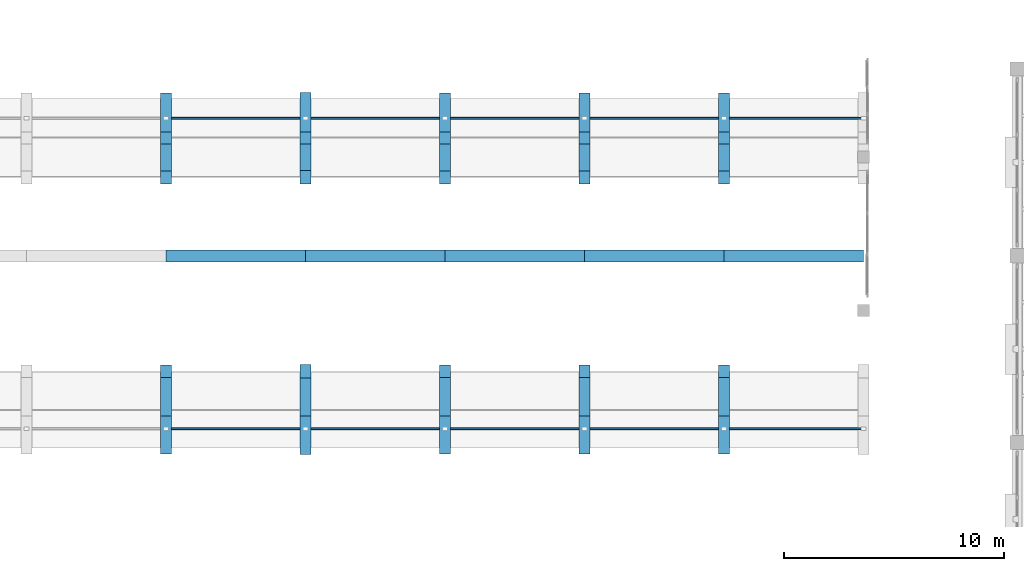
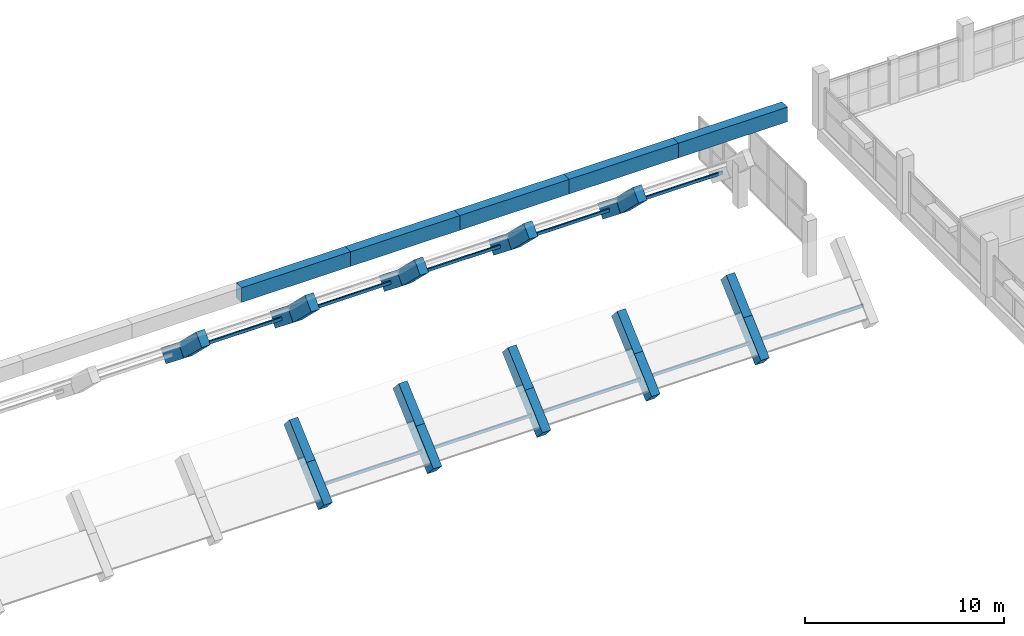
# One storey, part 7 of 48: 30 members, 5 beams.
"""IFC4 building model written with IfcOpenShell, lengths in metres."""

from ifc_helpers import new_model, si_unit, direction, frame, origin, origin_2d, place, context, subcontext, project, spatial, rectangle, hollow_rectangle, extrude, material, material_profile, profile_set, type_object, element, save


model = new_model("IFC4")

# Units and contexts
model_context = context("Model", 3, precision=1e-05, world=origin(), true_north=direction((0.0, 1.0)))
body_context = subcontext(model_context, "Body", "Model", "MODEL_VIEW")
ifc_project = project(units=[si_unit("LENGTHUNIT", "METRE"), si_unit("AREAUNIT", "SQUARE_METRE"), si_unit("VOLUMEUNIT", "CUBIC_METRE"), si_unit("PLANEANGLEUNIT", "RADIAN"), si_unit("MASSUNIT", "GRAM", prefix="KILO")], contexts=[model_context])

# Site, building, storey
site_placement = place(None, origin())
site = spatial("IfcSite", under=ifc_project, at=site_placement, CompositionType="ELEMENT")
building_placement = place(site_placement, origin())
building = spatial("IfcBuilding", under=site, at=building_placement, Name="Trellovar Central Fire Station", CompositionType="ELEMENT")
storey_placement = place(building_placement, frame((0.0, 0.0, 9.300048828125)))
storey = spatial("IfcBuildingStorey", under=building, at=storey_placement, Name="L03", CompositionType="ELEMENT", Elevation=9.300048828125)

# Beams
ifc_material_1 = material(Name="Concrete C40/50", Category="concrete")
ifc_material_profile_1 = material_profile(ifc_material_1, rectangle(XDim=0.550048828125, YDim=0.89990234375, at=origin_2d()), Name="RC550X900")
ifc_profile_set_1 = profile_set([ifc_material_profile_1], Name="Concrete C40/50")
beam_type = type_object("IfcBeamType", Name="BM-RG3", PredefinedType="BEAM", material=ifc_profile_set_1)
beam_1_placement = place(storey_placement, frame((66.75, 24.47998046875, 8.449951171875), z_axis=(1.0, 0.0, 0.0), x_axis=(0.0, 1.0, 0.0)))
element("IfcBeam", 1, at=beam_1_placement, inside=storey, type_object=beam_type, Name="V1 vault crest ridge beam", PredefinedType="BEAM", context=body_context, shape_type="SweptSolid", body=[
    extrude(rectangle(XDim=0.550048828125, YDim=0.89990234375, at=origin_2d()), origin(), (0.0, 0.0, 1.0), 6.35009765625),
])
beam_2_placement = place(storey_placement, frame((73.10009765625, 24.47998046875, 8.449951171875), z_axis=(1.0, 0.0, 0.0), x_axis=(0.0, 1.0, 0.0)))
element("IfcBeam", 2, at=beam_2_placement, inside=storey, type_object=beam_type, Name="V1 vault crest ridge beam", PredefinedType="BEAM", context=body_context, shape_type="SweptSolid", body=[
    extrude(rectangle(XDim=0.550048828125, YDim=0.89990234375, at=origin_2d()), origin(), (0.0, 0.0, 1.0), 6.349853515625),
])
beam_3_placement = place(storey_placement, frame((79.449951171875, 24.47998046875, 8.449951171875), z_axis=(1.0, 0.0, 0.0), x_axis=(0.0, 1.0, 0.0)))
element("IfcBeam", 3, at=beam_3_placement, inside=storey, type_object=beam_type, Name="V1 vault crest ridge beam", PredefinedType="BEAM", context=body_context, shape_type="SweptSolid", body=[
    extrude(rectangle(XDim=0.550048828125, YDim=0.89990234375, at=origin_2d()), origin(), (0.0, 0.0, 1.0), 6.35009765625),
])
beam_4_placement = place(storey_placement, frame((85.800048828125, 24.47998046875, 8.449951171875), z_axis=(1.0, 0.0, 0.0), x_axis=(0.0, 1.0, 0.0)))
element("IfcBeam", 4, at=beam_4_placement, inside=storey, type_object=beam_type, Name="V1 vault crest ridge beam", PredefinedType="BEAM", context=body_context, shape_type="SweptSolid", body=[
    extrude(rectangle(XDim=0.550048828125, YDim=0.89990234375, at=origin_2d()), origin(), (0.0, 0.0, 1.0), 6.349853515625),
])
beam_5_placement = place(storey_placement, frame((92.14990234375, 24.47998046875, 8.449951171875), z_axis=(1.0, 0.0, 0.0), x_axis=(0.0, 1.0, 0.0)))
element("IfcBeam", 5, at=beam_5_placement, inside=storey, type_object=beam_type, Name="V1 vault crest ridge beam", PredefinedType="BEAM", context=body_context, shape_type="SweptSolid", body=[
    extrude(rectangle(XDim=0.550048828125, YDim=0.89990234375, at=origin_2d()), origin(), (0.0, 0.0, 1.0), 6.35009765625),
])

# Members
ifc_material_2 = material(Name="Concrete C40/50", Category="concrete")
ifc_material_profile_2 = material_profile(ifc_material_2, rectangle(XDim=0.5, YDim=0.89990234375, at=origin_2d()), Name="RC500X900")
ifc_profile_set_2 = profile_set([ifc_material_profile_2], Name="Concrete C40/50")
member_type_1 = type_object("IfcMemberType", Name="MEM-AR1", PredefinedType="CHORD", material=ifc_profile_set_2)
member_1_placement = place(storey_placement, frame((73.10009765625, 15.74658203125, 0.61669921875), z_axis=(0.0, 0.744457083913, 0.667670315509), x_axis=(-1.0, 0.0, 0.0)))
element("IfcMember", 6, at=member_1_placement, inside=storey, type_object=member_type_1, Name="Parabolic arch rib AR-07 chord 02", PredefinedType="CHORD", context=body_context, shape_type="SweptSolid", body=[
    extrude(rectangle(XDim=0.5, YDim=0.89990234375, at=origin_2d()), origin(), (0.0, 0.0, 1.0), 2.346435546875),
])
member_2_placement = place(storey_placement, frame((73.10009765625, 17.493408203125, 2.183349609375), z_axis=(0.0, 0.744410696022, 0.667722034718), x_axis=(-1.0, 0.0, 0.0)))
element("IfcMember", 7, at=member_2_placement, inside=storey, type_object=member_type_1, Name="Parabolic arch rib AR-07 chord 03", PredefinedType="CHORD", context=body_context, shape_type="SweptSolid", body=[
    extrude(rectangle(XDim=0.5, YDim=0.89990234375, at=origin_2d()), origin(), (0.0, 0.0, 1.0), 2.34619140625),
])
member_3_placement = place(storey_placement, frame((73.10009765625, 28.066650390625, 3.457275390625), z_axis=(0.0, 0.717773123424, -0.696277059287), x_axis=(-1.0, 0.0, 0.0)))
element("IfcMember", 8, at=member_3_placement, inside=storey, type_object=member_type_1, Name="Parabolic arch rib AR-07 chord 09", PredefinedType="CHORD", context=body_context, shape_type="SweptSolid", body=[
    extrude(rectangle(XDim=0.5, YDim=0.89990234375, at=origin_2d()), origin(), (0.0, 0.0, 1.0), 2.49853515625),
])
member_4_placement = place(storey_placement, frame((73.10009765625, 29.860107421875, 1.717529296875), z_axis=(0.0, 0.782321473021, -0.622874877363), x_axis=(-1.0, 0.0, 0.0)))
element("IfcMember", 9, at=member_4_placement, inside=storey, type_object=member_type_1, Name="Parabolic arch rib AR-07 chord 10", PredefinedType="CHORD", context=body_context, shape_type="SweptSolid", body=[
    extrude(rectangle(XDim=0.5, YDim=0.89990234375, at=origin_2d()), origin(), (0.0, 0.0, 1.0), 2.292236328125),
])
ifc_material_3 = material(Name="Concrete C40/50", Category="concrete")
ifc_material_profile_3 = material_profile(ifc_material_3, rectangle(XDim=0.5, YDim=0.85009765625, at=origin_2d()), Name="RC500X850")
ifc_profile_set_3 = profile_set([ifc_material_profile_3], Name="Concrete C40/50")
member_type_2 = type_object("IfcMemberType", Name="MEM-AR2", PredefinedType="CHORD", material=ifc_profile_set_3)
member_5_placement = place(storey_placement, frame((66.75, 15.74658203125, 0.61669921875), z_axis=(0.0, 0.744457083913, 0.667670315509), x_axis=(-1.0, 0.0, 0.0)))
element("IfcMember", 10, at=member_5_placement, inside=storey, type_object=member_type_2, Name="Parabolic arch rib AR-06 chord 02", PredefinedType="CHORD", context=body_context, shape_type="SweptSolid", body=[
    extrude(rectangle(XDim=0.5, YDim=0.85009765625, at=origin_2d()), origin(), (0.0, 0.0, 1.0), 2.346435546875),
])
member_6_placement = place(storey_placement, frame((66.75, 17.493408203125, 2.183349609375), z_axis=(0.0, 0.744410696022, 0.667722034718), x_axis=(-1.0, 0.0, 0.0)))
element("IfcMember", 11, at=member_6_placement, inside=storey, type_object=member_type_2, Name="Parabolic arch rib AR-06 chord 03", PredefinedType="CHORD", context=body_context, shape_type="SweptSolid", body=[
    extrude(rectangle(XDim=0.5, YDim=0.85009765625, at=origin_2d()), origin(), (0.0, 0.0, 1.0), 2.34619140625),
])
member_7_placement = place(storey_placement, frame((66.75, 28.066650390625, 3.457275390625), z_axis=(0.0, 0.717773123424, -0.696277059287), x_axis=(-1.0, 0.0, 0.0)))
element("IfcMember", 12, at=member_7_placement, inside=storey, type_object=member_type_2, Name="Parabolic arch rib AR-06 chord 09", PredefinedType="CHORD", context=body_context, shape_type="SweptSolid", body=[
    extrude(rectangle(XDim=0.5, YDim=0.85009765625, at=origin_2d()), origin(), (0.0, 0.0, 1.0), 2.49853515625),
])
member_8_placement = place(storey_placement, frame((66.75, 29.860107421875, 1.717529296875), z_axis=(0.0, 0.782321473021, -0.622874877363), x_axis=(-1.0, 0.0, 0.0)))
element("IfcMember", 13, at=member_8_placement, inside=storey, type_object=member_type_2, Name="Parabolic arch rib AR-06 chord 10", PredefinedType="CHORD", context=body_context, shape_type="SweptSolid", body=[
    extrude(rectangle(XDim=0.5, YDim=0.85009765625, at=origin_2d()), origin(), (0.0, 0.0, 1.0), 2.292236328125),
])
member_9_placement = place(storey_placement, frame((79.449951171875, 15.74658203125, 0.61669921875), z_axis=(0.0, 0.744457083913, 0.667670315509), x_axis=(-1.0, 0.0, 0.0)))
element("IfcMember", 14, at=member_9_placement, inside=storey, type_object=member_type_2, Name="Parabolic arch rib AR-08 chord 02", PredefinedType="CHORD", context=body_context, shape_type="SweptSolid", body=[
    extrude(rectangle(XDim=0.5, YDim=0.85009765625, at=origin_2d()), origin(), (0.0, 0.0, 1.0), 2.346435546875),
])
member_10_placement = place(storey_placement, frame((79.449951171875, 17.493408203125, 2.183349609375), z_axis=(0.0, 0.744410696022, 0.667722034718), x_axis=(-1.0, 0.0, 0.0)))
element("IfcMember", 15, at=member_10_placement, inside=storey, type_object=member_type_2, Name="Parabolic arch rib AR-08 chord 03", PredefinedType="CHORD", context=body_context, shape_type="SweptSolid", body=[
    extrude(rectangle(XDim=0.5, YDim=0.85009765625, at=origin_2d()), origin(), (0.0, 0.0, 1.0), 2.34619140625),
])
member_11_placement = place(storey_placement, frame((79.449951171875, 28.066650390625, 3.457275390625), z_axis=(0.0, 0.717773123424, -0.696277059287), x_axis=(-1.0, 0.0, 0.0)))
element("IfcMember", 16, at=member_11_placement, inside=storey, type_object=member_type_2, Name="Parabolic arch rib AR-08 chord 09", PredefinedType="CHORD", context=body_context, shape_type="SweptSolid", body=[
    extrude(rectangle(XDim=0.5, YDim=0.85009765625, at=origin_2d()), origin(), (0.0, 0.0, 1.0), 2.49853515625),
])
member_12_placement = place(storey_placement, frame((79.449951171875, 29.860107421875, 1.717529296875), z_axis=(0.0, 0.782321473021, -0.622874877363), x_axis=(-1.0, 0.0, 0.0)))
element("IfcMember", 17, at=member_12_placement, inside=storey, type_object=member_type_2, Name="Parabolic arch rib AR-08 chord 10", PredefinedType="CHORD", context=body_context, shape_type="SweptSolid", body=[
    extrude(rectangle(XDim=0.5, YDim=0.85009765625, at=origin_2d()), origin(), (0.0, 0.0, 1.0), 2.292236328125),
])
member_13_placement = place(storey_placement, frame((85.800048828125, 15.74658203125, 0.61669921875), z_axis=(0.0, 0.744457083913, 0.667670315509), x_axis=(-1.0, 0.0, 0.0)))
element("IfcMember", 18, at=member_13_placement, inside=storey, type_object=member_type_2, Name="Parabolic arch rib AR-09 chord 02", PredefinedType="CHORD", context=body_context, shape_type="SweptSolid", body=[
    extrude(rectangle(XDim=0.5, YDim=0.85009765625, at=origin_2d()), origin(), (0.0, 0.0, 1.0), 2.346435546875),
])
member_14_placement = place(storey_placement, frame((85.800048828125, 17.493408203125, 2.183349609375), z_axis=(0.0, 0.744410696022, 0.667722034718), x_axis=(-1.0, 0.0, 0.0)))
element("IfcMember", 19, at=member_14_placement, inside=storey, type_object=member_type_2, Name="Parabolic arch rib AR-09 chord 03", PredefinedType="CHORD", context=body_context, shape_type="SweptSolid", body=[
    extrude(rectangle(XDim=0.5, YDim=0.85009765625, at=origin_2d()), origin(), (0.0, 0.0, 1.0), 2.34619140625),
])
member_15_placement = place(storey_placement, frame((85.800048828125, 28.066650390625, 3.457275390625), z_axis=(0.0, 0.717773123424, -0.696277059287), x_axis=(-1.0, 0.0, 0.0)))
element("IfcMember", 20, at=member_15_placement, inside=storey, type_object=member_type_2, Name="Parabolic arch rib AR-09 chord 09", PredefinedType="CHORD", context=body_context, shape_type="SweptSolid", body=[
    extrude(rectangle(XDim=0.5, YDim=0.85009765625, at=origin_2d()), origin(), (0.0, 0.0, 1.0), 2.49853515625),
])
member_16_placement = place(storey_placement, frame((85.800048828125, 29.860107421875, 1.717529296875), z_axis=(0.0, 0.782321473021, -0.622874877363), x_axis=(-1.0, 0.0, 0.0)))
element("IfcMember", 21, at=member_16_placement, inside=storey, type_object=member_type_2, Name="Parabolic arch rib AR-09 chord 10", PredefinedType="CHORD", context=body_context, shape_type="SweptSolid", body=[
    extrude(rectangle(XDim=0.5, YDim=0.85009765625, at=origin_2d()), origin(), (0.0, 0.0, 1.0), 2.292236328125),
])
member_17_placement = place(storey_placement, frame((92.14990234375, 15.74658203125, 0.61669921875), z_axis=(0.0, 0.744457083913, 0.667670315509), x_axis=(-1.0, 0.0, 0.0)))
element("IfcMember", 22, at=member_17_placement, inside=storey, type_object=member_type_2, Name="Parabolic arch rib AR-10 chord 02", PredefinedType="CHORD", context=body_context, shape_type="SweptSolid", body=[
    extrude(rectangle(XDim=0.5, YDim=0.85009765625, at=origin_2d()), origin(), (0.0, 0.0, 1.0), 2.346435546875),
])
member_18_placement = place(storey_placement, frame((92.14990234375, 17.493408203125, 2.183349609375), z_axis=(0.0, 0.744410696022, 0.667722034718), x_axis=(-1.0, 0.0, 0.0)))
element("IfcMember", 23, at=member_18_placement, inside=storey, type_object=member_type_2, Name="Parabolic arch rib AR-10 chord 03", PredefinedType="CHORD", context=body_context, shape_type="SweptSolid", body=[
    extrude(rectangle(XDim=0.5, YDim=0.85009765625, at=origin_2d()), origin(), (0.0, 0.0, 1.0), 2.34619140625),
])
member_19_placement = place(storey_placement, frame((92.14990234375, 28.066650390625, 3.457275390625), z_axis=(0.0, 0.717773123424, -0.696277059287), x_axis=(-1.0, 0.0, 0.0)))
element("IfcMember", 24, at=member_19_placement, inside=storey, type_object=member_type_2, Name="Parabolic arch rib AR-10 chord 09", PredefinedType="CHORD", context=body_context, shape_type="SweptSolid", body=[
    extrude(rectangle(XDim=0.5, YDim=0.85009765625, at=origin_2d()), origin(), (0.0, 0.0, 1.0), 2.49853515625),
])
member_20_placement = place(storey_placement, frame((92.14990234375, 29.860107421875, 1.717529296875), z_axis=(0.0, 0.782321473021, -0.622874877363), x_axis=(-1.0, 0.0, 0.0)))
element("IfcMember", 25, at=member_20_placement, inside=storey, type_object=member_type_2, Name="Parabolic arch rib AR-10 chord 10", PredefinedType="CHORD", context=body_context, shape_type="SweptSolid", body=[
    extrude(rectangle(XDim=0.5, YDim=0.85009765625, at=origin_2d()), origin(), (0.0, 0.0, 1.0), 2.292236328125),
])
ifc_material_4 = material(Name="Steel ASTM A500 Grade C", Category="steel")
ifc_material_profile_4 = material_profile(ifc_material_4, hollow_rectangle(XDim=0.1015625, YDim=0.203125, WallThickness=0.0087890625, InnerFilletRadius=0.0087890625, OuterFilletRadius=0.017822265625, at=origin_2d()), Name="HSS8X4X3/8")
ifc_profile_set_4 = profile_set([ifc_material_profile_4], Name="Steel ASTM A500 Grade C")
member_type_3 = type_object("IfcMemberType", Name="MEM-PU1", PredefinedType="PURLIN", material=ifc_profile_set_4)
for number, where, z_axis, x_axis, name in (
    (26, (66.75, 16.6201171875, 1.31005859375), (1.0, 0.0, 0.0), (0.0, 1.0, 0.0), "Vault purlin V1-06-02"),
    (27, (66.75, 30.756591796875, 0.913818359375), (1.0, 0.0, 0.0), (0.0, 1.0, 0.0), "Vault purlin V1-06-10"),
):
    element("IfcMember", number, at=place(storey_placement, frame(where, z_axis=z_axis, x_axis=x_axis)), inside=storey, type_object=member_type_3, Name=name, PredefinedType="PURLIN", context=body_context, shape_type="SweptSolid", body=[
        extrude(hollow_rectangle(XDim=0.1015625, YDim=0.203125, WallThickness=0.0087890625, InnerFilletRadius=0.0087890625, OuterFilletRadius=0.017822265625, at=origin_2d()), origin(), (0.0, 0.0, 1.0), 6.35009765625),
    ])
for number, where, z_axis, x_axis, name in (
    (28, (73.10009765625, 16.6201171875, 1.31005859375), (1.0, 0.0, 0.0), (0.0, 1.0, 0.0), "Vault purlin V1-07-02"),
    (29, (73.10009765625, 30.756591796875, 0.913818359375), (1.0, 0.0, 0.0), (0.0, 1.0, 0.0), "Vault purlin V1-07-10"),
):
    element("IfcMember", number, at=place(storey_placement, frame(where, z_axis=z_axis, x_axis=x_axis)), inside=storey, type_object=member_type_3, Name=name, PredefinedType="PURLIN", context=body_context, shape_type="SweptSolid", body=[
        extrude(hollow_rectangle(XDim=0.1015625, YDim=0.203125, WallThickness=0.0087890625, InnerFilletRadius=0.0087890625, OuterFilletRadius=0.017822265625, at=origin_2d()), origin(), (0.0, 0.0, 1.0), 6.349853515625),
    ])
for number, where, z_axis, x_axis, name in (
    (30, (79.449951171875, 16.6201171875, 1.31005859375), (1.0, 0.0, 0.0), (0.0, 1.0, 0.0), "Vault purlin V1-08-02"),
    (31, (79.449951171875, 30.756591796875, 0.913818359375), (1.0, 0.0, 0.0), (0.0, 1.0, 0.0), "Vault purlin V1-08-10"),
):
    element("IfcMember", number, at=place(storey_placement, frame(where, z_axis=z_axis, x_axis=x_axis)), inside=storey, type_object=member_type_3, Name=name, PredefinedType="PURLIN", context=body_context, shape_type="SweptSolid", body=[
        extrude(hollow_rectangle(XDim=0.1015625, YDim=0.203125, WallThickness=0.0087890625, InnerFilletRadius=0.0087890625, OuterFilletRadius=0.017822265625, at=origin_2d()), origin(), (0.0, 0.0, 1.0), 6.35009765625),
    ])
for number, where, z_axis, x_axis, name in (
    (32, (85.800048828125, 16.6201171875, 1.31005859375), (1.0, 0.0, 0.0), (0.0, 1.0, 0.0), "Vault purlin V1-09-02"),
    (33, (85.800048828125, 30.756591796875, 0.913818359375), (1.0, 0.0, 0.0), (0.0, 1.0, 0.0), "Vault purlin V1-09-10"),
):
    element("IfcMember", number, at=place(storey_placement, frame(where, z_axis=z_axis, x_axis=x_axis)), inside=storey, type_object=member_type_3, Name=name, PredefinedType="PURLIN", context=body_context, shape_type="SweptSolid", body=[
        extrude(hollow_rectangle(XDim=0.1015625, YDim=0.203125, WallThickness=0.0087890625, InnerFilletRadius=0.0087890625, OuterFilletRadius=0.017822265625, at=origin_2d()), origin(), (0.0, 0.0, 1.0), 6.349853515625),
    ])
for number, where, z_axis, x_axis, name in (
    (34, (92.14990234375, 16.6201171875, 1.31005859375), (1.0, 0.0, 0.0), (0.0, 1.0, 0.0), "Vault purlin V1-10-02"),
    (35, (92.14990234375, 30.756591796875, 0.913818359375), (1.0, 0.0, 0.0), (0.0, 1.0, 0.0), "Vault purlin V1-10-10"),
):
    element("IfcMember", number, at=place(storey_placement, frame(where, z_axis=z_axis, x_axis=x_axis)), inside=storey, type_object=member_type_3, Name=name, PredefinedType="PURLIN", context=body_context, shape_type="SweptSolid", body=[
        extrude(hollow_rectangle(XDim=0.1015625, YDim=0.203125, WallThickness=0.0087890625, InnerFilletRadius=0.0087890625, OuterFilletRadius=0.017822265625, at=origin_2d()), origin(), (0.0, 0.0, 1.0), 6.35009765625),
    ])

save(model, "model.ifc")
